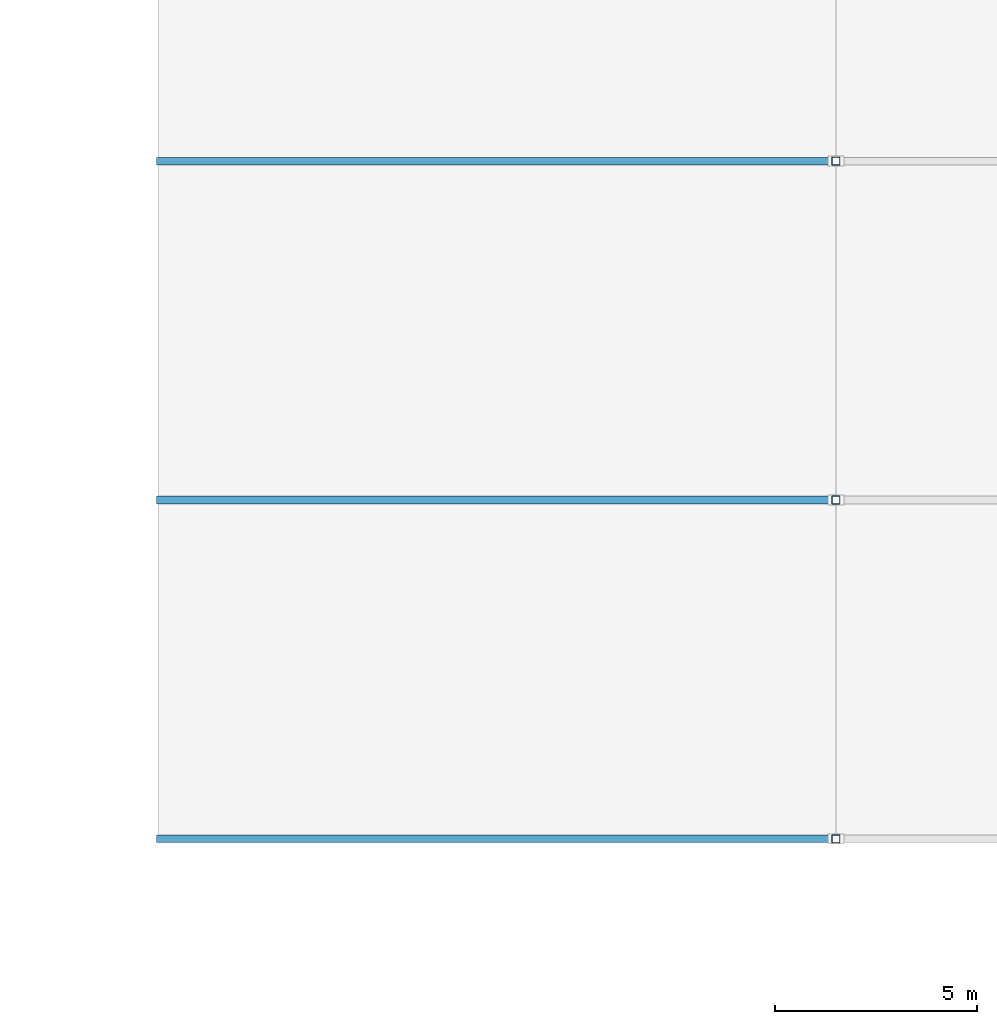
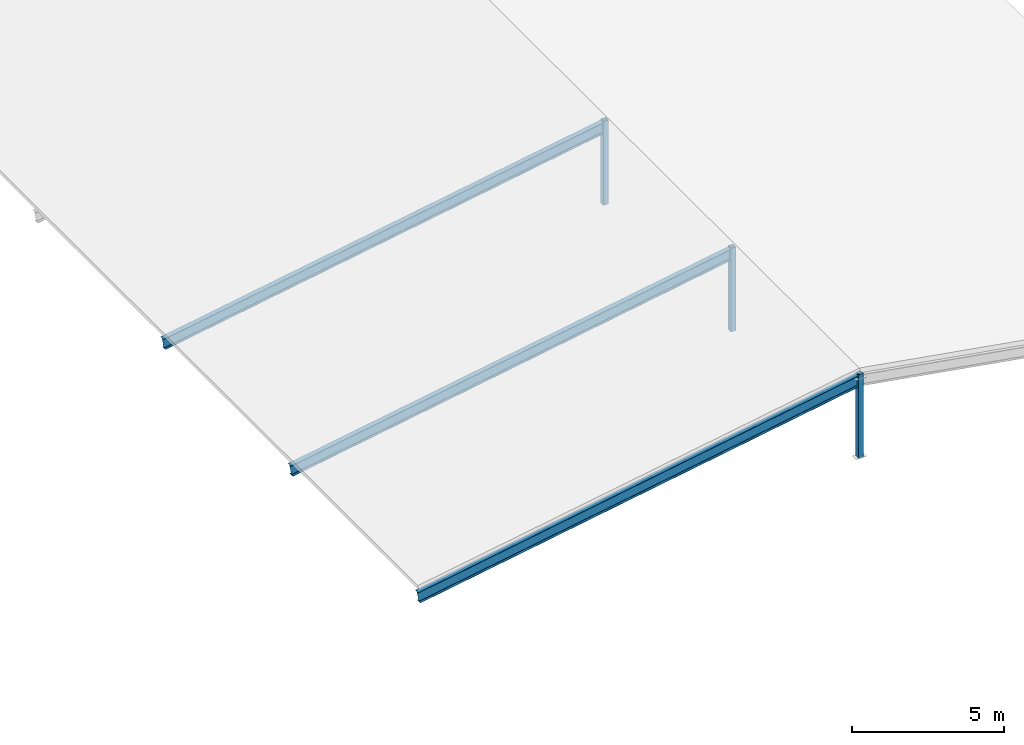
# One storey, part 64 of 140: 3 beams, 3 members.
"""IFC4 building model written with IfcOpenShell, lengths in metres."""

from ifc_helpers import new_model, si_unit, direction, frame, origin, origin_2d, place, context, subcontext, project, spatial, hollow_rectangle, i_section, extrude, material, material_profile, profile_set, type_object, element, save


model = new_model("IFC4")

# Units and contexts
model_context = context("Model", 3, precision=1e-05, world=origin(), true_north=direction((0.0, 1.0)))
body_context = subcontext(model_context, "Body", "Model", "MODEL_VIEW")
ifc_project = project(units=[si_unit("LENGTHUNIT", "METRE"), si_unit("AREAUNIT", "SQUARE_METRE"), si_unit("VOLUMEUNIT", "CUBIC_METRE"), si_unit("PLANEANGLEUNIT", "RADIAN"), si_unit("MASSUNIT", "GRAM", prefix="KILO")], contexts=[model_context])

# Site, building, storey
site_placement = place(None, origin())
site = spatial("IfcSite", under=ifc_project, at=site_placement, CompositionType="ELEMENT")
building_placement = place(site_placement, origin())
building = spatial("IfcBuilding", under=site, at=building_placement, Name="Varnapada Polytechnic", CompositionType="ELEMENT")
storey_placement = place(building_placement, frame((0.0, 0.0, 13.800048828125)))
storey = spatial("IfcBuildingStorey", under=building, at=storey_placement, Name="L03", CompositionType="ELEMENT", Elevation=13.800048828125)

# Beams
ifc_material = material(Name="Steel S355", Category="steel")
ifc_material_profile_1 = material_profile(ifc_material, i_section(OverallWidth=0.18994140625, OverallDepth=0.449951171875, WebThickness=0.009521484375, FlangeThickness=0.0146484375, FilletRadius=0.02099609375, at=origin_2d()), Name="IPE 450")
ifc_profile_set_1 = profile_set([ifc_material_profile_1], Name="Steel S355")
beam_type = type_object("IfcBeamType", Name="Folded gable & library roof rafter SB-02 (IPE 450)", PredefinedType="BEAM", material=ifc_profile_set_1)
for number, where, z_axis, x_axis, name in (
    (1, (134.39990234375, 8.39990234375, 0.22998046875), (0.985721119745, 0.0, 0.168386086388), (0.0, 1.0, 0.0), "Refectory pavilion west rafter Y2"),
    (2, (134.39990234375, 16.800048828125, 0.22998046875), (0.985721119745, 0.0, 0.168386086388), (0.0, 1.0, 0.0), "Refectory pavilion west rafter Y3"),
    (3, (134.39990234375, 25.199951171875, 0.22998046875), (0.985721119745, 0.0, 0.168386086388), (0.0, 1.0, 0.0), "Refectory pavilion west rafter Y4"),
):
    element("IfcBeam", number, at=place(storey_placement, frame(where, z_axis=z_axis, x_axis=x_axis)), inside=storey, type_object=beam_type, Name=name, PredefinedType="BEAM", context=body_context, shape_type="SweptSolid", body=[
        extrude(i_section(OverallWidth=0.18994140625, OverallDepth=0.449951171875, WebThickness=0.009521484375, FlangeThickness=0.0146484375, FilletRadius=0.02099609375, at=origin_2d()), origin(), (0.0, 0.0, 1.0), 17.04345703125),
    ])

# Members
ifc_material_profile_2 = material_profile(ifc_material, hollow_rectangle(XDim=0.199951171875, YDim=0.199951171875, WallThickness=0.008056640625, InnerFilletRadius=0.008056640625, OuterFilletRadius=0.01611328125, at=origin_2d()), Name="SHS 200x200x8")
ifc_profile_set_2 = profile_set([ifc_material_profile_2], Name="Steel S355")
member_type = type_object("IfcMemberType", Name="Roof clerestory king post SFP-01 (SHS 200x200x8)", PredefinedType="POST", material=ifc_profile_set_2)
for number, where, z_axis, x_axis, name in (
    (4, (151.199951171875, 8.39990234375, -0.02001953125), (0.0, 0.0, 1.0), (1.0, 0.0, 0.0), "Refectory pavilion ridge post Y2"),
    (5, (151.199951171875, 16.800048828125, -0.02001953125), (0.0, 0.0, 1.0), (1.0, 0.0, 0.0), "Refectory pavilion ridge post Y3"),
    (6, (151.199951171875, 25.199951171875, -0.02001953125), (0.0, 0.0, 1.0), (1.0, 0.0, 0.0), "Refectory pavilion ridge post Y4"),
):
    element("IfcMember", number, at=place(storey_placement, frame(where, z_axis=z_axis, x_axis=x_axis)), inside=storey, type_object=member_type, Name=name, PredefinedType="POST", context=body_context, shape_type="SweptSolid", body=[
        extrude(hollow_rectangle(XDim=0.199951171875, YDim=0.199951171875, WallThickness=0.008056640625, InnerFilletRadius=0.008056640625, OuterFilletRadius=0.01611328125, at=origin_2d()), origin(), (0.0, 0.0, 1.0), 3.369873046875),
    ])

save(model, "model.ifc")
